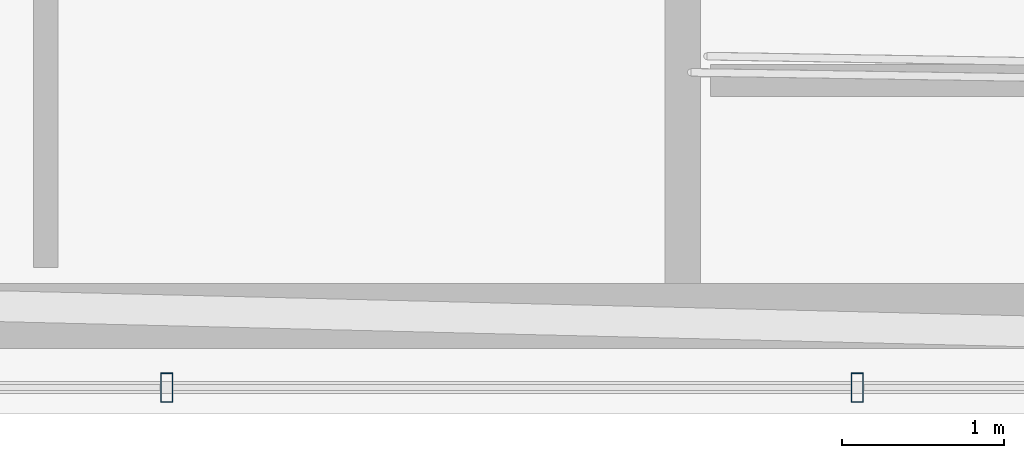
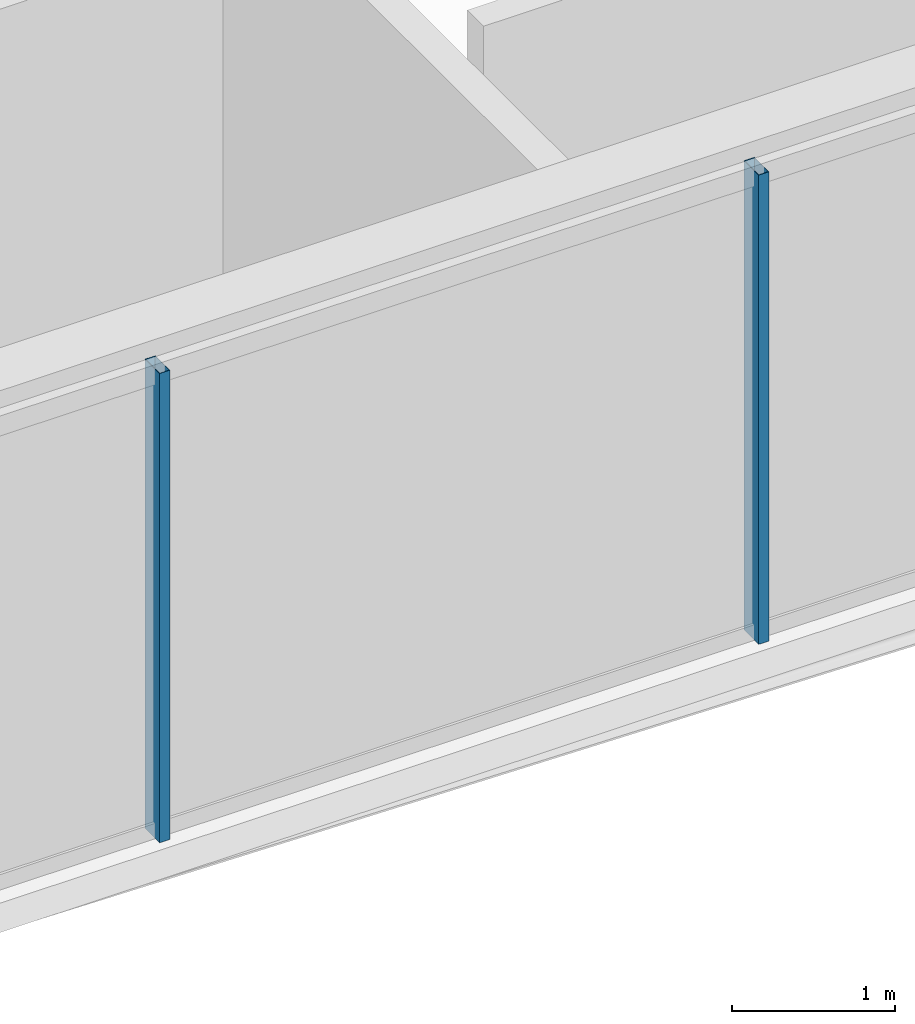
# One storey, part 6 of 34: 2 members, 1 element without a shape of its own.
"""IFC4 building model written with IfcOpenShell, lengths in metres."""

from ifc_helpers import new_model, si_unit, direction, frame, origin, origin_2d, place, context, subcontext, project, spatial, hollow_rectangle, extrude, material, layer, layer_set, material_profile, profile_set, type_object, element, aggregate, save


model = new_model("IFC4")

# Units and contexts
model_context = context("Model", 3, precision=1e-05, world=origin(), true_north=direction((0.0, 1.0)))
body_context = subcontext(model_context, "Body", "Model", "MODEL_VIEW")
ifc_project = project(units=[si_unit("LENGTHUNIT", "METRE"), si_unit("AREAUNIT", "SQUARE_METRE"), si_unit("VOLUMEUNIT", "CUBIC_METRE"), si_unit("PLANEANGLEUNIT", "RADIAN"), si_unit("MASSUNIT", "GRAM", prefix="KILO")], contexts=[model_context])

# Site, building, storey
site_placement = place(None, origin())
site = spatial("IfcSite", under=ifc_project, at=site_placement, CompositionType="ELEMENT")
building_placement = place(site_placement, origin())
building = spatial("IfcBuilding", under=site, at=building_placement, Name="Ndaravel Arena Tower", CompositionType="ELEMENT")
storey_placement = place(building_placement, frame((0.0, 0.0, 199.199951171875)))
storey = spatial("IfcBuildingStorey", under=building, at=storey_placement, Name="L48", CompositionType="ELEMENT", Elevation=199.199951171875)

# Curtain wall, members
ifc_material_1 = material(Name="Aluminium", Category="aluminium")
ifc_layer = layer(ifc_material_1, 0.179931640625)
ifc_layer_set = layer_set([ifc_layer], Name="Aluminium")
curtain_wall_type = type_object("IfcCurtainWallType", Name="CW-SYS-03", PredefinedType="NOTDEFINED", material=ifc_layer_set)
curtain_wall_placement = place(storey_placement, origin())
curtain_wall = element("IfcCurtainWall", 1, at=curtain_wall_placement, inside=storey, type_object=curtain_wall_type, Name="L48 Faceted Crystal Curtain Wall CW-L48-E01", PredefinedType="NOTDEFINED")
ifc_material_2 = material(Name="Aluminium", Category="aluminium")
ifc_material_profile = material_profile(ifc_material_2, hollow_rectangle(XDim=0.074951171875, YDim=0.179931640625, WallThickness=0.00390625, at=origin_2d()), Name="CW MULLION 75x180x4")
ifc_profile_set = profile_set([ifc_material_profile], Name="Aluminium")
member_type = type_object("IfcMemberType", Name="MEM-CW-MUL180", PredefinedType="MULLION", material=ifc_profile_set)
member_1_placement = place(storey_placement, frame((35.623779296875, 5.159912109375, 0.0), z_axis=(0.0, 0.0, 1.0), x_axis=(1.0, 0.0, 0.0)))
member_1 = element("IfcMember", 2, at=member_1_placement, type_object=member_type, Name="CW-L48-E01 Mullion 03", PredefinedType="MULLION", context=body_context, shape_type="SweptSolid", body=[
    extrude(hollow_rectangle(XDim=0.074951171875, YDim=0.179931640625, WallThickness=0.00390625, at=origin_2d()), origin(), (0.0, 0.0, 1.0), 3.52001953125),
])
member_2_placement = place(storey_placement, frame((39.87451171875, 5.159912109375, 0.0), z_axis=(0.0, 0.0, 1.0), x_axis=(1.0, 0.0, 0.0)))
member_2 = element("IfcMember", 3, at=member_2_placement, type_object=member_type, Name="CW-L48-E01 Mullion 04", PredefinedType="MULLION", context=body_context, shape_type="SweptSolid", body=[
    extrude(hollow_rectangle(XDim=0.074951171875, YDim=0.179931640625, WallThickness=0.00390625, at=origin_2d()), origin(), (0.0, 0.0, 1.0), 3.52001953125),
])
aggregate(curtain_wall, [member_1, member_2])

save(model, "model.ifc")
